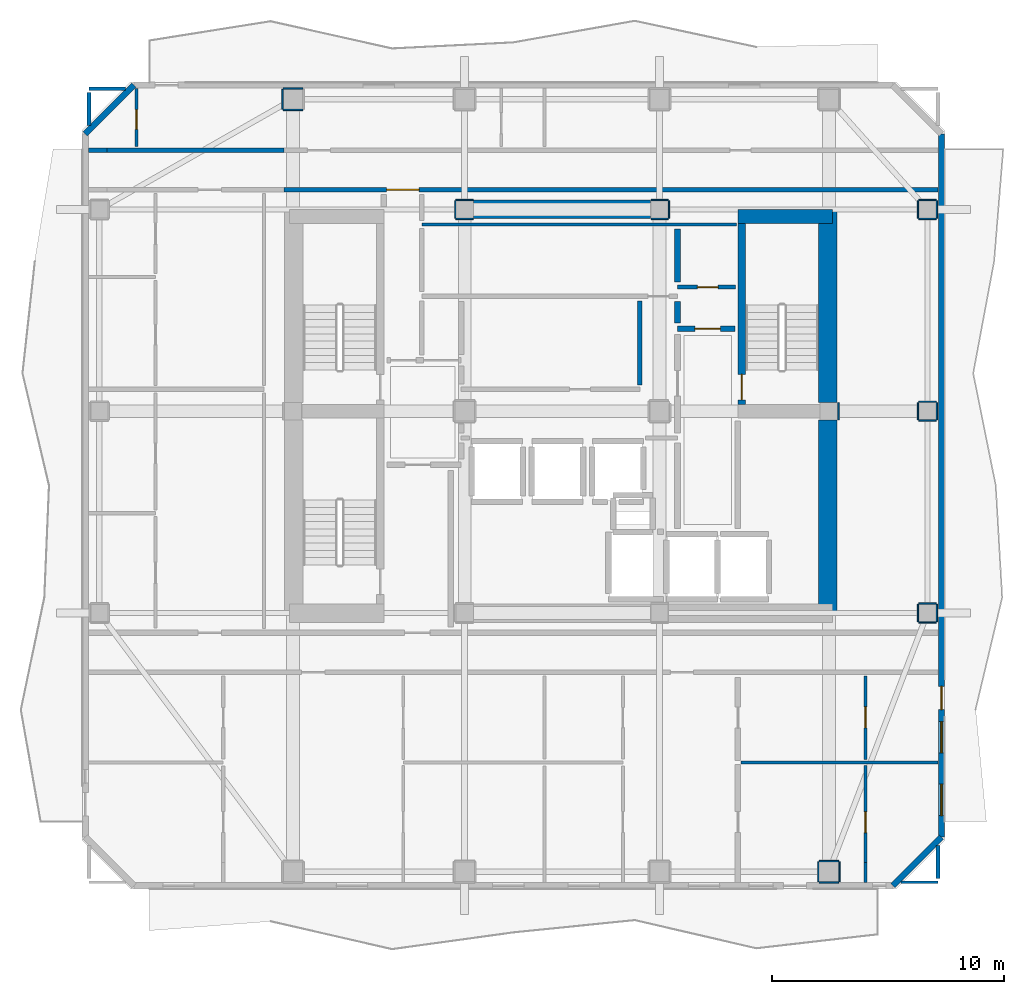
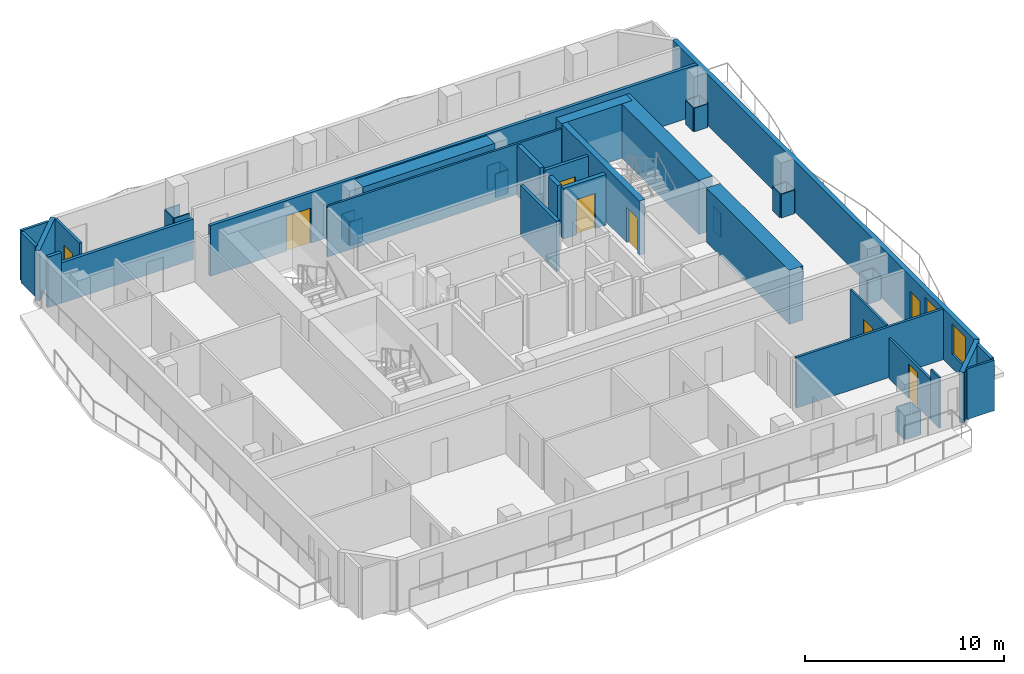
# One storey, part 5 of 10: 52 walls, 8 doors, 2 windows, 10 openings.
"""IFC4 building model written with IfcOpenShell, lengths in metres."""

from ifc_helpers import new_model, si_unit, direction, frame, frame_2d, origin, place, context, subcontext, project, spatial, rectangle, extrude, material, layer, layer_set, type_object, element, fill, save


model = new_model("IFC4")

# Units and contexts
model_context = context("Model", 3, precision=1e-05, world=origin(), true_north=direction((0.0, 1.0)))
body_context = subcontext(model_context, "Body", "Model", "MODEL_VIEW")
ifc_project = project(units=[si_unit("LENGTHUNIT", "METRE"), si_unit("AREAUNIT", "SQUARE_METRE"), si_unit("VOLUMEUNIT", "CUBIC_METRE"), si_unit("PLANEANGLEUNIT", "RADIAN"), si_unit("MASSUNIT", "GRAM", prefix="KILO")], contexts=[model_context])

# Site, building, storey
site_placement = place(None, origin())
site = spatial("IfcSite", under=ifc_project, at=site_placement, CompositionType="ELEMENT")
building_placement = place(site_placement, origin())
building = spatial("IfcBuilding", under=site, at=building_placement, Name="Solanera Arch Residences", CompositionType="ELEMENT")
storey_placement = place(building_placement, frame((0.0, 0.0, 193.47998046875)))
storey = spatial("IfcBuildingStorey", under=building, at=storey_placement, Name="L56", CompositionType="ELEMENT", Elevation=193.47998046875)

# Walls
ifc_material_1 = material(Name="Fire-Rated Gypsum Stud Partition", Category="gypsum")
ifc_layer_1 = layer(ifc_material_1, 0.06005859375)
ifc_layer_set_1 = layer_set([ifc_layer_1], Name="Fire-Rated Gypsum Stud Partition")
wall_type_1 = type_object("IfcWallType", Name="Column Acoustic Furring Wall 60", PredefinedType="PARTITIONING", material=ifc_layer_set_1)
for number, where, z_axis, x_axis, name in (
    (1, (20.425048828125, 38.992919921875, 0.0), (0.0, 0.0, 1.0), (1.0, 0.0, 0.0), "L56 Column Furring 3S"),
    (2, (20.425048828125, 39.806884765625, 0.0), (0.0, 0.0, 1.0), (1.0, 0.0, 0.0), "L56 Column Furring 3N"),
):
    element("IfcWall", number, at=place(storey_placement, frame(where, z_axis=z_axis, x_axis=x_axis)), inside=storey, type_object=wall_type_1, Name=name, PredefinedType="PARTITIONING", context=body_context, shape_type="SweptSolid", body=[
        extrude(rectangle(XDim=0.741943359375, YDim=0.06005859375, at=frame_2d((0.37109375, 0.0))), origin(), (0.0, 0.0, 1.0), 1.449951171875),
    ])
wall_1_placement = place(storey_placement, frame((20.39306640625, 39.02490234375, 0.0), z_axis=(0.0, 0.0, 1.0), x_axis=(0.0, 1.0, 0.0)))
element("IfcWall", 3, at=wall_1_placement, inside=storey, type_object=wall_type_1, Name="L56 Column Furring 3W", PredefinedType="PARTITIONING", context=body_context, shape_type="SweptSolid", body=[
    extrude(rectangle(XDim=0.75, YDim=0.06005859375, at=frame_2d((0.375, 0.0))), origin(), (0.0, 0.0, 1.0), 1.449951171875),
])
for number, where, z_axis, x_axis, name in (
    (4, (28.8330078125, 38.992919921875, 0.0), (0.0, 0.0, 1.0), (1.0, 0.0, 0.0), "L56 Column Furring 4S"),
    (5, (28.8330078125, 39.806884765625, 0.0), (0.0, 0.0, 1.0), (1.0, 0.0, 0.0), "L56 Column Furring 4N"),
):
    element("IfcWall", number, at=place(storey_placement, frame(where, z_axis=z_axis, x_axis=x_axis)), inside=storey, type_object=wall_type_1, Name=name, PredefinedType="PARTITIONING", context=body_context, shape_type="SweptSolid", body=[
        extrude(rectangle(XDim=0.741943359375, YDim=0.06005859375, at=frame_2d((0.37109375, 0.0))), origin(), (0.0, 0.0, 1.0), 1.449951171875),
    ])
for number, where, z_axis, x_axis, name in (
    (6, (29.60693359375, 39.02490234375, 0.0), (0.0, 0.0, 1.0), (0.0, 1.0, 0.0), "L56 Column Furring 4E"),
    (7, (36.906982421875, 30.324951171875, 0.0), (0.0, 0.0, 1.0), (0.0, 1.0, 0.0), "L56 Column Furring 6E"),
):
    element("IfcWall", number, at=place(storey_placement, frame(where, z_axis=z_axis, x_axis=x_axis)), inside=storey, type_object=wall_type_1, Name=name, PredefinedType="PARTITIONING", context=body_context, shape_type="SweptSolid", body=[
        extrude(rectangle(XDim=0.75, YDim=0.06005859375, at=frame_2d((0.375, 0.0))), origin(), (0.0, 0.0, 1.0), 1.449951171875),
    ])
for number, where, z_axis, x_axis, name in (
    (8, (12.97509765625, 43.693115234375, 0.0), (0.0, 0.0, 1.0), (1.0, 0.0, 0.0), "L56 Column Furring 10S"),
    (9, (12.97509765625, 44.60693359375, 0.0), (0.0, 0.0, 1.0), (1.0, 0.0, 0.0), "L56 Column Furring 10N"),
    (10, (12.943115234375, 43.72509765625, 0.0), (0.0, 0.0, 1.0), (0.0, 1.0, 0.0), "L56 Column Furring 10W"),
):
    element("IfcWall", number, at=place(storey_placement, frame(where, z_axis=z_axis, x_axis=x_axis)), inside=storey, type_object=wall_type_1, Name=name, PredefinedType="PARTITIONING", context=body_context, shape_type="SweptSolid", body=[
        extrude(rectangle(XDim=0.849853515625, YDim=0.06005859375, at=frame_2d((0.4248046875, 0.0))), origin(), (0.0, 0.0, 1.0), 1.449951171875),
    ])
for number, where, z_axis, x_axis, name in (
    (11, (36.074951171875, 10.39306640625, 0.0), (0.0, 0.0, 1.0), (1.0, 0.0, 0.0), "L56 Column Furring 15S"),
    (12, (36.074951171875, 11.306884765625, 0.0), (0.0, 0.0, 1.0), (1.0, 0.0, 0.0), "L56 Column Furring 15N"),
):
    element("IfcWall", number, at=place(storey_placement, frame(where, z_axis=z_axis, x_axis=x_axis)), inside=storey, type_object=wall_type_1, Name=name, PredefinedType="PARTITIONING", context=body_context, shape_type="SweptSolid", body=[
        extrude(rectangle(XDim=0.85009765625, YDim=0.06005859375, at=frame_2d((0.425048828125, 0.0))), origin(), (0.0, 0.0, 1.0), 1.449951171875),
    ])
for number, where, z_axis, x_axis, name in (
    (13, (36.04296875, 10.425048828125, 0.0), (0.0, 0.0, 1.0), (0.0, 1.0, 0.0), "L56 Column Furring 15W"),
    (14, (36.95703125, 10.425048828125, 0.0), (0.0, 0.0, 1.0), (0.0, 1.0, 0.0), "L56 Column Furring 15E"),
):
    element("IfcWall", number, at=place(storey_placement, frame(where, z_axis=z_axis, x_axis=x_axis)), inside=storey, type_object=wall_type_1, Name=name, PredefinedType="PARTITIONING", context=body_context, shape_type="SweptSolid", body=[
        extrude(rectangle(XDim=0.849853515625, YDim=0.06005859375, at=frame_2d((0.4248046875, 0.0))), origin(), (0.0, 0.0, 1.0), 1.449951171875),
    ])
for number, where, z_axis, x_axis, name in (
    (15, (40.375, 21.593017578125, 0.0), (0.0, 0.0, 1.0), (1.0, 0.0, 0.0), "L56 Column Furring 18S"),
    (16, (40.375, 22.406982421875, 0.0), (0.0, 0.0, 1.0), (1.0, 0.0, 0.0), "L56 Column Furring 18N"),
    (17, (40.343017578125, 21.625, 0.0), (0.0, 0.0, 1.0), (0.0, 1.0, 0.0), "L56 Column Furring 18W"),
    (18, (41.156982421875, 21.625, 0.0), (0.0, 0.0, 1.0), (0.0, 1.0, 0.0), "L56 Column Furring 18E"),
    (19, (40.375, 30.29296875, 0.0), (0.0, 0.0, 1.0), (1.0, 0.0, 0.0), "L56 Column Furring 20S"),
    (20, (40.375, 31.10693359375, 0.0), (0.0, 0.0, 1.0), (1.0, 0.0, 0.0), "L56 Column Furring 20N"),
    (21, (40.343017578125, 30.324951171875, 0.0), (0.0, 0.0, 1.0), (0.0, 1.0, 0.0), "L56 Column Furring 20W"),
    (22, (41.156982421875, 30.324951171875, 0.0), (0.0, 0.0, 1.0), (0.0, 1.0, 0.0), "L56 Column Furring 20E"),
    (23, (40.375, 38.992919921875, 0.0), (0.0, 0.0, 1.0), (1.0, 0.0, 0.0), "L56 Column Furring 22S"),
    (24, (40.375, 39.806884765625, 0.0), (0.0, 0.0, 1.0), (1.0, 0.0, 0.0), "L56 Column Furring 22N"),
    (25, (40.343017578125, 39.02490234375, 0.0), (0.0, 0.0, 1.0), (0.0, 1.0, 0.0), "L56 Column Furring 22W"),
    (26, (41.156982421875, 39.02490234375, 0.0), (0.0, 0.0, 1.0), (0.0, 1.0, 0.0), "L56 Column Furring 22E"),
):
    element("IfcWall", number, at=place(storey_placement, frame(where, z_axis=z_axis, x_axis=x_axis)), inside=storey, type_object=wall_type_1, Name=name, PredefinedType="PARTITIONING", context=body_context, shape_type="SweptSolid", body=[
        extrude(rectangle(XDim=0.75, YDim=0.06005859375, at=frame_2d((0.375, 0.0))), origin(), (0.0, 0.0, 1.0), 1.449951171875),
    ])

# Wall, opening, door
ifc_material_2 = material(Name="Concrete C40/50 (f'c = 45 MPa)", Category="concrete")
ifc_layer_2 = layer(ifc_material_2, 0.320068359375)
ifc_layer_set_2 = layer_set([ifc_layer_2], Name="Concrete C40/50 (f'c = 45 MPa)")
wall_type_2 = type_object("IfcWallType", Name="Core Shear Wall CW-320", PredefinedType="SHEAR", material=ifc_layer_set_2)
wall_2_placement = place(storey_placement, frame((32.739990234375, 31.0, 0.0), z_axis=(0.0, 0.0, 1.0), x_axis=(0.0, 1.0, 0.0)))
wall_2 = element("IfcWall", 27, at=wall_2_placement, inside=storey, type_object=wall_type_2, Name="L56 Stair ST-T2 West Shear Wall", PredefinedType="SHEAR", context=body_context, shape_type="SweptSolid", body=[
    extrude(rectangle(XDim=7.800048828125, YDim=0.320068359375, at=frame_2d((3.89990234375, 0.0))), origin(), (0.0, 0.0, 1.0), 3.320068359375),
])
opening_1_placement = place(wall_2_placement, frame((0.18994140625, 0.0, 0.0)))
opening_1 = element("IfcOpeningElement", 28, at=opening_1_placement, cuts=wall_2, Name="Opening DF-01", PredefinedType="OPENING", context=body_context, shape_type="SweptSolid", body=[
    extrude(rectangle(XDim=1.10009765625, YDim=2.14990234375, at=frame_2d((0.550048828125, 1.074951171875))), frame((0.0, 0.169921875, 0.0), z_axis=(0.0, -1.0, 0.0), x_axis=(1.0, 0.0, 0.0)), (0.0, 0.0, 1.0), 0.3401),
])
ifc_material_3 = material(Name="Fire-Rated Architectural Hardwood", Category="wood")
door_type_1 = type_object("IfcDoorType", Name="Stair Exit Fire Door DF-01", OperationType="NOTDEFINED", PredefinedType="DOOR", material=ifc_material_3)
door_1_placement = place(opening_1_placement, origin())
door_1 = element("IfcDoor", 29, at=door_1_placement, inside=storey, type_object=door_type_1, Name="DR-L56-STAIR-ST-T2", OperationType="SINGLE_SWING_RIGHT", OverallHeight=2.14990234375, OverallWidth=1.10009765625, PredefinedType="DOOR", context=body_context, shape_type="SweptSolid", body=[
    extrude(rectangle(XDim=1.10009765625, YDim=2.14990234375, at=frame_2d((0.550048828125, 1.074951171875))), frame((0.0, 0.02490234375, 0.0), z_axis=(0.0, -1.0, 0.0), x_axis=(1.0, 0.0, 0.0)), (0.0, 0.0, 1.0), 0.050048828125),
])
fill(opening_1, door_1)

# Walls
ifc_material_4 = material(Name="Concrete C40/50 (f'c = 45 MPa)", Category="concrete")
ifc_layer_3 = layer(ifc_material_4, 0.60009765625)
ifc_layer_set_3 = layer_set([ifc_layer_3], Name="Concrete C40/50 (f'c = 45 MPa)")
wall_type_3 = type_object("IfcWallType", Name="Core Shear Wall CW-600", PredefinedType="SHEAR", material=ifc_layer_set_3)
wall_3_placement = place(storey_placement, frame((32.580078125, 39.10009765625, 0.0), z_axis=(0.0, 0.0, 1.0), x_axis=(1.0, 0.0, 0.0)))
element("IfcWall", 30, at=wall_3_placement, inside=storey, type_object=wall_type_3, Name="L56 North-East Core Shear Wall", PredefinedType="SHEAR", context=body_context, shape_type="SweptSolid", body=[
    extrude(rectangle(XDim=4.079833984375, YDim=0.60009765625, at=frame_2d((2.0400390625, 0.0))), origin(), (0.0, 0.0, 1.0), 3.320068359375),
])
ifc_material_5 = material(Name="Concrete C40/50 (f'c = 45 MPa)", Category="concrete")
ifc_layer_4 = layer(ifc_material_5, 0.800048828125)
ifc_layer_set_4 = layer_set([ifc_layer_4], Name="Concrete C40/50 (f'c = 45 MPa)")
wall_type_4 = type_object("IfcWallType", Name="Core Shear Wall CW-800", PredefinedType="SHEAR", material=ifc_layer_set_4)
wall_4_placement = place(storey_placement, frame((36.4599609375, 22.0, 0.0), z_axis=(0.0, 0.0, 1.0), x_axis=(0.0, 1.0, 0.0)))
element("IfcWall", 31, at=wall_4_placement, inside=storey, type_object=wall_type_4, Name="L56 East Core South Shear Wall", PredefinedType="SHEAR", context=body_context, shape_type="SweptSolid", body=[
    extrude(rectangle(XDim=8.320068359375, YDim=0.800048828125, at=frame_2d((4.16015625, 0.0))), origin(), (0.0, 0.0, 1.0), 3.320068359375),
])
wall_5_placement = place(storey_placement, frame((36.4599609375, 31.080078125, 0.0), z_axis=(0.0, 0.0, 1.0), x_axis=(0.0, 1.0, 0.0)))
element("IfcWall", 32, at=wall_5_placement, inside=storey, type_object=wall_type_4, Name="L56 East Core North Shear Wall", PredefinedType="SHEAR", context=body_context, shape_type="SweptSolid", body=[
    extrude(rectangle(XDim=8.31982421875, YDim=0.800048828125, at=frame_2d((4.159912109375, 0.0))), origin(), (0.0, 0.0, 1.0), 3.320068359375),
])
wall_6_placement = place(storey_placement, frame((21.179931640625, 39.39990234375, 0.0), z_axis=(0.0, 0.0, 1.0), x_axis=(1.0, 0.0, 0.0)))
element("IfcWall", 33, at=wall_6_placement, inside=storey, type_object=wall_type_4, Name="L56 Central North Core Shear Wall", PredefinedType="SHEAR", context=body_context, shape_type="SweptSolid", body=[
    extrude(rectangle(XDim=7.64013671875, YDim=0.800048828125, at=frame_2d((3.820068359375, 0.0))), origin(), (0.0, 0.0, 1.0), 3.320068359375),
])

# Wall, opening, door
ifc_material_6 = material(Name="Autoclaved Aerated Concrete Blockwork", Category="masonry")
ifc_layer_5 = layer(ifc_material_6, 0.179931640625)
ifc_layer_set_5 = layer_set([ifc_layer_5], Name="Autoclaved Aerated Concrete Blockwork")
wall_type_5 = type_object("IfcWallType", Name="Corridor Fire Partition 180", PredefinedType="PARTITIONING", material=ifc_layer_set_5)
wall_7_placement = place(storey_placement, frame((29.97509765625, 36.050048828125, 0.0), z_axis=(0.0, 0.0, 1.0), x_axis=(1.0, 0.0, 0.0)))
wall_7 = element("IfcWall", 34, at=wall_7_placement, inside=storey, type_object=wall_type_5, Name="L56 Interior Partition H11", PredefinedType="PARTITIONING", context=body_context, shape_type="SweptSolid", body=[
    extrude(rectangle(XDim=2.5048828125, YDim=0.179931640625, at=frame_2d((1.25244140625, 0.0))), origin(), (0.0, 0.0, 1.0), 3.10009765625),
])
opening_2_placement = place(wall_7_placement, frame((0.85205078125, 0.0, 0.0)))
opening_2 = element("IfcOpeningElement", 35, at=opening_2_placement, cuts=wall_7, Name="Opening DI-02", PredefinedType="OPENING", context=body_context, shape_type="SweptSolid", body=[
    extrude(rectangle(XDim=0.89990234375, YDim=2.10009765625, at=frame_2d((0.449951171875, 1.050048828125))), frame((0.0, 0.10009765625, 0.0), z_axis=(0.0, -1.0, 0.0), x_axis=(1.0, 0.0, 0.0)), (0.0, 0.0, 1.0), 0.1999),
])
ifc_material_7 = material(Name="Fire-Rated Architectural Hardwood", Category="wood")
door_type_2 = type_object("IfcDoorType", Name="Suite Room Swing Door DI-02", OperationType="NOTDEFINED", PredefinedType="DOOR", material=ifc_material_7)
door_2_placement = place(opening_2_placement, origin())
door_2 = element("IfcDoor", 36, at=door_2_placement, inside=storey, type_object=door_type_2, Name="DR-L56-IN-011", OperationType="SINGLE_SWING_LEFT", OverallHeight=2.10009765625, OverallWidth=0.89990234375, PredefinedType="DOOR", context=body_context, shape_type="SweptSolid", body=[
    extrude(rectangle(XDim=0.89990234375, YDim=2.10009765625, at=frame_2d((0.449951171875, 1.050048828125))), frame((0.0, 0.02490234375, 0.0), z_axis=(0.0, -1.0, 0.0), x_axis=(1.0, 0.0, 0.0)), (0.0, 0.0, 1.0), 0.050048828125),
])
fill(opening_2, door_2)

wall_8_placement = place(storey_placement, frame((13.011962890625, 40.25, 0.0), z_axis=(0.0, 0.0, 1.0), x_axis=(1.0, 0.0, 0.0)))
wall_8 = element("IfcWall", 37, at=wall_8_placement, inside=storey, type_object=wall_type_5, Name="L56 Interior Partition H12 3", PredefinedType="PARTITIONING", context=body_context, shape_type="SweptSolid", body=[
    extrude(rectangle(XDim=28.200927734375, YDim=0.179931640625, at=frame_2d((14.1005859375, 0.0))), origin(), (0.0, 0.0, 1.0), 3.10009765625),
])
opening_3_placement = place(wall_8_placement, frame((4.423095703125, 0.0, 0.0)))
opening_3 = element("IfcOpeningElement", 38, at=opening_3_placement, cuts=wall_8, Name="Opening DF-03", PredefinedType="OPENING", context=body_context, shape_type="SweptSolid", body=[
    extrude(rectangle(XDim=1.39990234375, YDim=2.14990234375, at=frame_2d((0.699951171875, 1.074951171875))), frame((0.0, 0.10009765625, 0.0), z_axis=(0.0, -1.0, 0.0), x_axis=(1.0, 0.0, 0.0)), (0.0, 0.0, 1.0), 0.1999),
])
ifc_material_8 = material(Name="Fire-Rated Architectural Hardwood", Category="wood")
door_type_3 = type_object("IfcDoorType", Name="Corridor Smoke Door DF-03", OperationType="NOTDEFINED", PredefinedType="DOOR", material=ifc_material_8)
door_3_placement = place(opening_3_placement, origin())
door_3 = element("IfcDoor", 39, at=door_3_placement, inside=storey, type_object=door_type_3, Name="DR-L56-IN-009", OperationType="SINGLE_SWING_LEFT", OverallHeight=2.14990234375, OverallWidth=1.39990234375, PredefinedType="DOOR", context=body_context, shape_type="SweptSolid", body=[
    extrude(rectangle(XDim=1.39990234375, YDim=2.14990234375, at=frame_2d((0.699951171875, 1.074951171875))), frame((0.0, 0.02490234375, 0.0), z_axis=(0.0, -1.0, 0.0), x_axis=(1.0, 0.0, 0.0)), (0.0, 0.0, 1.0), 0.050048828125),
])
fill(opening_3, door_3)

# Walls
wall_9_placement = place(storey_placement, frame((4.5869140625, 41.949951171875, 0.0), z_axis=(0.0, 0.0, 1.0), x_axis=(1.0, 0.0, 0.0)))
element("IfcWall", 40, at=wall_9_placement, inside=storey, type_object=wall_type_5, Name="L56 Interior Partition H13 1", PredefinedType="PARTITIONING", context=body_context, shape_type="SweptSolid", body=[
    extrude(rectangle(XDim=0.801025390625, YDim=0.179931640625, at=frame_2d((0.400390625, 0.0))), origin(), (0.0, 0.0, 1.0), 3.10009765625),
])
wall_10_placement = place(storey_placement, frame((5.387939453125, 41.949951171875, 0.0), z_axis=(0.0, 0.0, 1.0), x_axis=(1.0, 0.0, 0.0)))
element("IfcWall", 41, at=wall_10_placement, inside=storey, type_object=wall_type_5, Name="L56 Interior Partition H13 2", PredefinedType="PARTITIONING", context=body_context, shape_type="SweptSolid", body=[
    extrude(rectangle(XDim=7.6240234375, YDim=0.179931640625, at=frame_2d((3.81201171875, 0.0))), origin(), (0.0, 0.0, 1.0), 2.47705078125),
])
wall_11_placement = place(storey_placement, frame((4.60009765625, 43.010986328125, 0.0), z_axis=(0.0, 0.0, 1.0), x_axis=(0.0, 1.0, 0.0)))
element("IfcWall", 42, at=wall_11_placement, inside=storey, type_object=wall_type_5, Name="L56 Interior Partition V8 2", PredefinedType="PARTITIONING", context=body_context, shape_type="SweptSolid", body=[
    extrude(rectangle(XDim=1.4208984375, YDim=0.179931640625, at=frame_2d((0.71044921875, 0.0))), origin(), (0.0, 0.0, 1.0), 3.10009765625),
])
wall_12_placement = place(storey_placement, frame((28.35009765625, 31.837890625, 0.0), z_axis=(0.0, 0.0, 1.0), x_axis=(0.0, 1.0, 0.0)))
element("IfcWall", 43, at=wall_12_placement, inside=storey, type_object=wall_type_5, Name="L56 Interior Partition V9", PredefinedType="PARTITIONING", context=body_context, shape_type="SweptSolid", body=[
    extrude(rectangle(XDim=3.614013671875, YDim=0.179931640625, at=frame_2d((1.80712890625, 0.0))), origin(), (0.0, 0.0, 1.0), 3.10009765625),
])
wall_13_placement = place(storey_placement, frame((41.199951171875, 10.55810546875, 0.0), z_axis=(0.0, 0.0, 1.0), x_axis=(0.0, 1.0, 0.0)))
element("IfcWall", 44, at=wall_13_placement, inside=storey, type_object=wall_type_5, Name="L56 Interior Partition V10", PredefinedType="PARTITIONING", context=body_context, shape_type="SweptSolid", body=[
    extrude(rectangle(XDim=1.430908203125, YDim=0.179931640625, at=frame_2d((0.71533203125, 0.0))), origin(), (0.0, 0.0, 1.0), 3.10009765625),
])
ifc_material_9 = material(Name="Precast Concrete C35/45", Category="concrete")
ifc_layer_6 = layer(ifc_material_9, 0.260009765625)
ifc_layer_set_6 = layer_set([ifc_layer_6], Name="Precast Concrete C35/45")
wall_type_6 = type_object("IfcWallType", Name="Exterior Wall Precast Masonry-Frame 260", PredefinedType="STANDARD", material=ifc_layer_set_6)
wall_14_placement = place(storey_placement, frame((4.445068359375, 42.655029296875, 0.0), z_axis=(0.0, 0.0, 1.0), x_axis=(0.707106781187, 0.707106781187, 0.0)))
element("IfcWall", 45, at=wall_14_placement, inside=storey, type_object=wall_type_6, Name="L56 Tower Exterior Precast Masonry-Frame Wall CH1", PredefinedType="STANDARD", context=body_context, shape_type="SweptSolid", body=[
    extrude(rectangle(XDim=2.9697265625, YDim=0.260009765625, at=frame_2d((1.48486328125, 0.0))), origin(), (0.0, 0.0, 1.0), 3.10009765625),
])

# Wall, openings, door, windows
wall_15_placement = place(storey_placement, frame((41.35498046875, 42.655029296875, 0.0), z_axis=(0.0, 0.0, 1.0), x_axis=(0.0, -1.0, 0.0)))
wall_15 = element("IfcWall", 46, at=wall_15_placement, inside=storey, type_object=wall_type_6, Name="L56 Tower Exterior Precast Masonry-Frame Wall E", PredefinedType="STANDARD", context=body_context, shape_type="SweptSolid", body=[
    extrude(rectangle(XDim=30.31005859375, YDim=0.260009765625, at=frame_2d((15.155029296875, 0.0))), origin(), (0.0, 0.0, 1.0), 3.10009765625),
])
opening_4_placement = place(wall_15_placement, frame((23.818115234375, 0.0, 0.0)))
opening_4 = element("IfcOpeningElement", 47, at=opening_4_placement, cuts=wall_15, Name="Opening DB-01", PredefinedType="OPENING", context=body_context, shape_type="SweptSolid", body=[
    extrude(rectangle(XDim=1.0, YDim=2.14990234375, at=frame_2d((0.5, 1.074951171875))), frame((0.0, 0.139892578125, 0.0), z_axis=(0.0, -1.0, 0.0), x_axis=(1.0, 0.0, 0.0)), (0.0, 0.0, 1.0), 0.28),
])
opening_5_placement = place(wall_15_placement, frame((25.33203125, 0.0, 0.85009765625)))
opening_5 = element("IfcOpeningElement", 48, at=opening_5_placement, cuts=wall_15, Name="Opening W-10", PredefinedType="OPENING", context=body_context, shape_type="SweptSolid", body=[
    extrude(rectangle(XDim=1.35009765625, YDim=1.85009765625, at=frame_2d((0.675048828125, 0.925048828125))), frame((0.0, 0.139892578125, 0.0), z_axis=(0.0, -1.0, 0.0), x_axis=(1.0, 0.0, 0.0)), (0.0, 0.0, 1.0), 0.28),
])
opening_6_placement = place(wall_15_placement, frame((28.032958984375, 0.0, 0.85009765625)))
opening_6 = element("IfcOpeningElement", 49, at=opening_6_placement, cuts=wall_15, Name="Opening W-10", PredefinedType="OPENING", context=body_context, shape_type="SweptSolid", body=[
    extrude(rectangle(XDim=1.35009765625, YDim=1.85009765625, at=frame_2d((0.675048828125, 0.925048828125))), frame((0.0, 0.139892578125, 0.0), z_axis=(0.0, -1.0, 0.0), x_axis=(1.0, 0.0, 0.0)), (0.0, 0.0, 1.0), 0.28),
])
ifc_material_10 = material(Name="Anodised Aluminium Alloy 6063-T6", Category="aluminium")
door_type_4 = type_object("IfcDoorType", Name="Glazed Balcony Swing Door DB-01", OperationType="NOTDEFINED", PredefinedType="DOOR", material=ifc_material_10)
door_4_placement = place(opening_4_placement, origin())
door_4 = element("IfcDoor", 50, at=door_4_placement, inside=storey, type_object=door_type_4, Name="DR-L56-OUT-03", OperationType="SINGLE_SWING_RIGHT", OverallHeight=2.14990234375, OverallWidth=1.0, PredefinedType="DOOR", context=body_context, shape_type="SweptSolid", body=[
    extrude(rectangle(XDim=1.0, YDim=2.14990234375, at=frame_2d((0.5, 1.074951171875))), frame((0.0, 0.02490234375, 0.0), z_axis=(0.0, -1.0, 0.0), x_axis=(1.0, 0.0, 0.0)), (0.0, 0.0, 1.0), 0.050048828125),
])
fill(opening_4, door_4)
ifc_material_11 = material(Name="Double Glazed Low-E Laminated Glass", Category="glass")
window_type = type_object("IfcWindowType", Name="Punched Window W-10", PartitioningType="DOUBLE_PANEL_VERTICAL", PredefinedType="WINDOW", material=ifc_material_11)
window_1_placement = place(opening_5_placement, origin())
window_1 = element("IfcWindow", 51, at=window_1_placement, inside=storey, type_object=window_type, Name="L56 5602-STD Punched Window", OverallHeight=1.85009765625, OverallWidth=1.35009765625, PartitioningType="SINGLE_PANEL", PredefinedType="WINDOW", context=body_context, shape_type="SweptSolid", body=[
    extrude(rectangle(XDim=1.35009765625, YDim=1.85009765625, at=frame_2d((0.675048828125, 0.925048828125))), frame((0.0, 0.030029296875, 0.0), z_axis=(0.0, -1.0, 0.0), x_axis=(1.0, 0.0, 0.0)), (0.0, 0.0, 1.0), 0.06005859375),
])
fill(opening_5, window_1)
window_2_placement = place(opening_6_placement, origin())
window_2 = element("IfcWindow", 52, at=window_2_placement, inside=storey, type_object=window_type, Name="L56 5602-BR3 Punched Window", OverallHeight=1.85009765625, OverallWidth=1.35009765625, PartitioningType="SINGLE_PANEL", PredefinedType="WINDOW", context=body_context, shape_type="SweptSolid", body=[
    extrude(rectangle(XDim=1.35009765625, YDim=1.85009765625, at=frame_2d((0.675048828125, 0.925048828125))), frame((0.0, 0.030029296875, 0.0), z_axis=(0.0, -1.0, 0.0), x_axis=(1.0, 0.0, 0.0)), (0.0, 0.0, 1.0), 0.06005859375),
])
fill(opening_6, window_2)

# Wall
wall_16_placement = place(storey_placement, frame((41.35498046875, 12.344970703125, 0.0), z_axis=(0.0, 0.0, 1.0), x_axis=(-0.707147883682, -0.707065676302, 0.0)))
element("IfcWall", 53, at=wall_16_placement, inside=storey, type_object=wall_type_6, Name="L56 Tower Exterior Precast Masonry-Frame Wall CH5", PredefinedType="STANDARD", context=body_context, shape_type="SweptSolid", body=[
    extrude(rectangle(XDim=2.9697265625, YDim=0.260009765625, at=frame_2d((1.48486328125, 0.0))), origin(), (0.0, 0.0, 1.0), 3.10009765625),
])

# Wall, opening, door
ifc_material_12 = material(Name="Autoclaved Aerated Concrete Blockwork", Category="masonry")
ifc_layer_7 = layer(ifc_material_12, 0.239990234375)
ifc_layer_set_7 = layer_set([ifc_layer_7], Name="Autoclaved Aerated Concrete Blockwork")
wall_type_7 = type_object("IfcWallType", Name="Shaft Wall Fire-Rated 240", PredefinedType="PARTITIONING", material=ifc_layer_set_7)
wall_17_placement = place(storey_placement, frame((29.97509765625, 34.25, 0.0), z_axis=(0.0, 0.0, 1.0), x_axis=(1.0, 0.0, 0.0)))
wall_17 = element("IfcWall", 54, at=wall_17_placement, inside=storey, type_object=wall_type_7, Name="L56 Interior Partition H5", PredefinedType="PARTITIONING", context=body_context, shape_type="SweptSolid", body=[
    extrude(rectangle(XDim=2.474853515625, YDim=0.239990234375, at=frame_2d((1.2373046875, 0.0))), origin(), (0.0, 0.0, 1.0), 3.10009765625),
])
opening_7_placement = place(wall_17_placement, frame((0.751953125, 0.0, 0.0)))
opening_7 = element("IfcOpeningElement", 55, at=opening_7_placement, cuts=wall_17, Name="Opening DF-02", PredefinedType="OPENING", context=body_context, shape_type="SweptSolid", body=[
    extrude(rectangle(XDim=1.10009765625, YDim=2.14990234375, at=frame_2d((0.550048828125, 1.074951171875))), frame((0.0, 0.1298828125, 0.0), z_axis=(0.0, -1.0, 0.0), x_axis=(1.0, 0.0, 0.0)), (0.0, 0.0, 1.0), 0.26),
])
ifc_material_13 = material(Name="Fire-Rated Architectural Hardwood", Category="wood")
door_type_5 = type_object("IfcDoorType", Name="Firefighting Lobby Fire Door DF-02", OperationType="NOTDEFINED", PredefinedType="DOOR", material=ifc_material_13)
door_5_placement = place(opening_7_placement, origin())
door_5 = element("IfcDoor", 56, at=door_5_placement, inside=storey, type_object=door_type_5, Name="DR-L56-IN-007", OperationType="SINGLE_SWING_LEFT", OverallHeight=2.14990234375, OverallWidth=1.10009765625, PredefinedType="DOOR", context=body_context, shape_type="SweptSolid", body=[
    extrude(rectangle(XDim=1.10009765625, YDim=2.14990234375, at=frame_2d((0.550048828125, 1.074951171875))), frame((0.0, 0.02490234375, 0.0), z_axis=(0.0, -1.0, 0.0), x_axis=(1.0, 0.0, 0.0)), (0.0, 0.0, 1.0), 0.050048828125),
])
fill(opening_7, door_5)

# Walls
wall_18_placement = place(storey_placement, frame((29.97509765625, 34.498046875, 0.0), z_axis=(0.0, 0.0, 1.0), x_axis=(0.0, 1.0, 0.0)))
element("IfcWall", 57, at=wall_18_placement, inside=storey, type_object=wall_type_7, Name="L56 Interior Partition V4 3", PredefinedType="PARTITIONING", context=body_context, shape_type="SweptSolid", body=[
    extrude(rectangle(XDim=0.924072265625, YDim=0.239990234375, at=frame_2d((0.4619140625, 0.0))), origin(), (0.0, 0.0, 1.0), 3.10009765625),
])
wall_19_placement = place(storey_placement, frame((29.97509765625, 36.26806640625, 0.0), z_axis=(0.0, 0.0, 1.0), x_axis=(0.0, 1.0, 0.0)))
element("IfcWall", 58, at=wall_19_placement, inside=storey, type_object=wall_type_7, Name="L56 Interior Partition V4 4", PredefinedType="PARTITIONING", context=body_context, shape_type="SweptSolid", body=[
    extrude(rectangle(XDim=2.2939453125, YDim=0.239990234375, at=frame_2d((1.14697265625, 0.0))), origin(), (0.0, 0.0, 1.0), 3.10009765625),
])
ifc_material_14 = material(Name="Fire-Rated Gypsum Stud Partition", Category="gypsum")
ifc_layer_8 = layer(ifc_material_14, 0.1201171875)
ifc_layer_set_8 = layer_set([ifc_layer_8], Name="Fire-Rated Gypsum Stud Partition")
wall_type_8 = type_object("IfcWallType", Name="Unit Drywall Partition 120", PredefinedType="PARTITIONING", material=ifc_layer_set_8)
wall_20_placement = place(storey_placement, frame((39.611083984375, 10.39990234375, 0.0), z_axis=(0.0, 0.0, 1.0), x_axis=(1.0, 0.0, 0.0)))
element("IfcWall", 59, at=wall_20_placement, inside=storey, type_object=wall_type_8, Name="L56 Interior Partition H20 2", PredefinedType="PARTITIONING", context=body_context, shape_type="SweptSolid", body=[
    extrude(rectangle(XDim=1.5888671875, YDim=0.1201171875, at=frame_2d((0.79443359375, 0.0))), origin(), (0.0, 0.0, 1.0), 3.10009765625),
])
wall_21_placement = place(storey_placement, frame((18.949951171875, 38.75, 0.0), z_axis=(0.0, 0.0, 1.0), x_axis=(1.0, 0.0, 0.0)))
element("IfcWall", 60, at=wall_21_placement, inside=storey, type_object=wall_type_8, Name="L56 Interior Partition H21", PredefinedType="PARTITIONING", context=body_context, shape_type="SweptSolid", body=[
    extrude(rectangle(XDim=13.56005859375, YDim=0.1201171875, at=frame_2d((6.780029296875, 0.0))), origin(), (0.0, 0.0, 1.0), 3.10009765625),
])
wall_22_placement = place(storey_placement, frame((38.080078125, 10.386962890625, 0.0), z_axis=(0.0, 0.0, 1.0), x_axis=(0.0, 1.0, 0.0)))
element("IfcWall", 61, at=wall_22_placement, inside=storey, type_object=wall_type_8, Name="L56 Interior Partition V21 1", PredefinedType="PARTITIONING", context=body_context, shape_type="SweptSolid", body=[
    extrude(rectangle(XDim=0.85205078125, YDim=0.1201171875, at=frame_2d((0.426025390625, 0.0))), origin(), (0.0, 0.0, 1.0), 3.10009765625),
])

# Wall, opening, door
wall_23_placement = place(storey_placement, frame((38.080078125, 11.239013671875, 0.0), z_axis=(0.0, 0.0, 1.0), x_axis=(0.0, 1.0, 0.0)))
wall_23 = element("IfcWall", 62, at=wall_23_placement, inside=storey, type_object=wall_type_8, Name="L56 Interior Partition V21 2", PredefinedType="PARTITIONING", context=body_context, shape_type="SweptSolid", body=[
    extrude(rectangle(XDim=4.181884765625, YDim=0.1201171875, at=frame_2d((2.0908203125, 0.0))), origin(), (0.0, 0.0, 1.0), 2.47705078125),
])
opening_8_placement = place(wall_23_placement, frame((1.291015625, 0.0, 0.0)))
opening_8 = element("IfcOpeningElement", 63, at=opening_8_placement, cuts=wall_23, Name="Opening DI-03", PredefinedType="OPENING", context=body_context, shape_type="SweptSolid", body=[
    extrude(rectangle(XDim=0.89990234375, YDim=2.10009765625, at=frame_2d((0.449951171875, 1.050048828125))), frame((0.0, 0.070068359375, 0.0), z_axis=(0.0, -1.0, 0.0), x_axis=(1.0, 0.0, 0.0)), (0.0, 0.0, 1.0), 0.1401),
])
ifc_material_15 = material(Name="Fire-Rated Architectural Hardwood", Category="wood")
door_type_6 = type_object("IfcDoorType", Name="Bedroom Swing Door DI-03", OperationType="NOTDEFINED", PredefinedType="DOOR", material=ifc_material_15)
door_6_placement = place(opening_8_placement, origin())
door_6 = element("IfcDoor", 64, at=door_6_placement, inside=storey, type_object=door_type_6, Name="DR-L56-IN-025", OperationType="SINGLE_SWING_LEFT", OverallHeight=2.10009765625, OverallWidth=0.89990234375, PredefinedType="DOOR", context=body_context, shape_type="SweptSolid", body=[
    extrude(rectangle(XDim=0.89990234375, YDim=2.10009765625, at=frame_2d((0.449951171875, 1.050048828125))), frame((0.0, 0.02490234375, 0.0), z_axis=(0.0, -1.0, 0.0), x_axis=(1.0, 0.0, 0.0)), (0.0, 0.0, 1.0), 0.050048828125),
])
fill(opening_8, door_6)

wall_24_placement = place(storey_placement, frame((38.080078125, 15.697021484375, 0.0), z_axis=(0.0, 0.0, 1.0), x_axis=(0.0, 1.0, 0.0)))
wall_24 = element("IfcWall", 65, at=wall_24_placement, inside=storey, type_object=wall_type_8, Name="L56 Interior Partition V21 3", PredefinedType="PARTITIONING", context=body_context, shape_type="SweptSolid", body=[
    extrude(rectangle(XDim=3.594970703125, YDim=0.1201171875, at=frame_2d((1.79736328125, 0.0))), origin(), (0.0, 0.0, 1.0), 3.10009765625),
])
opening_9_placement = place(wall_24_placement, frame((1.35791015625, 0.0, 0.0)))
opening_9 = element("IfcOpeningElement", 66, at=opening_9_placement, cuts=wall_24, Name="Opening DI-02", PredefinedType="OPENING", context=body_context, shape_type="SweptSolid", body=[
    extrude(rectangle(XDim=0.89990234375, YDim=2.10009765625, at=frame_2d((0.449951171875, 1.050048828125))), frame((0.0, 0.070068359375, 0.0), z_axis=(0.0, -1.0, 0.0), x_axis=(1.0, 0.0, 0.0)), (0.0, 0.0, 1.0), 0.1401),
])
door_7_placement = place(opening_9_placement, origin())
door_7 = element("IfcDoor", 67, at=door_7_placement, inside=storey, type_object=door_type_2, Name="DR-L56-IN-023", OperationType="SINGLE_SWING_LEFT", OverallHeight=2.10009765625, OverallWidth=0.89990234375, PredefinedType="DOOR", context=body_context, shape_type="SweptSolid", body=[
    extrude(rectangle(XDim=0.89990234375, YDim=2.10009765625, at=frame_2d((0.449951171875, 1.050048828125))), frame((0.0, 0.02490234375, 0.0), z_axis=(0.0, -1.0, 0.0), x_axis=(1.0, 0.0, 0.0)), (0.0, 0.0, 1.0), 0.050048828125),
])
fill(opening_9, door_7)

# Walls
ifc_material_16 = material(Name="Autoclaved Aerated Concrete Blockwork", Category="masonry")
ifc_layer_9 = layer(ifc_material_16, 0.139892578125)
ifc_layer_set_9 = layer_set([ifc_layer_9], Name="Autoclaved Aerated Concrete Blockwork")
wall_type_9 = type_object("IfcWallType", Name="Wet-Room Partition 140", PredefinedType="PARTITIONING", material=ifc_layer_set_9)
wall_25_placement = place(storey_placement, frame((32.70703125, 15.55908203125, 0.0), z_axis=(0.0, 0.0, 1.0), x_axis=(1.0, 0.0, 0.0)))
element("IfcWall", 68, at=wall_25_placement, inside=storey, type_object=wall_type_9, Name="L56 Interior Partition H16", PredefinedType="PARTITIONING", context=body_context, shape_type="SweptSolid", body=[
    extrude(rectangle(XDim=8.505859375, YDim=0.139892578125, at=frame_2d((4.2529296875, 0.0))), origin(), (0.0, 0.0, 1.0), 3.10009765625),
])
wall_26_placement = place(storey_placement, frame((4.60009765625, 44.60009765625, 0.0), z_axis=(0.0, 0.0, 1.0), x_axis=(1.0, 0.0, 0.0)))
element("IfcWall", 69, at=wall_26_placement, inside=storey, type_object=wall_type_9, Name="L56 Interior Partition H19 1", PredefinedType="PARTITIONING", context=body_context, shape_type="SweptSolid", body=[
    extrude(rectangle(XDim=1.5888671875, YDim=0.139892578125, at=frame_2d((0.79443359375, 0.0))), origin(), (0.0, 0.0, 1.0), 3.10009765625),
])

# Wall, opening, door
wall_27_placement = place(storey_placement, frame((6.64990234375, 42.117919921875, 0.0), z_axis=(0.0, 0.0, 1.0), x_axis=(0.0, 1.0, 0.0)))
wall_27 = element("IfcWall", 70, at=wall_27_placement, inside=storey, type_object=wall_type_9, Name="L56 Interior Partition V12", PredefinedType="PARTITIONING", context=body_context, shape_type="SweptSolid", body=[
    extrude(rectangle(XDim=2.4951171875, YDim=0.139892578125, at=frame_2d((1.24755859375, 0.0))), origin(), (0.0, 0.0, 1.0), 3.10009765625),
])
opening_10_placement = place(wall_27_placement, frame((0.72705078125, 0.0, 0.0)))
opening_10 = element("IfcOpeningElement", 71, at=opening_10_placement, cuts=wall_27, Name="Opening DI-05", PredefinedType="OPENING", context=body_context, shape_type="SweptSolid", body=[
    extrude(rectangle(XDim=0.860107421875, YDim=2.02001953125, at=frame_2d((0.43017578125, 1.010009765625))), frame((0.0, 0.079833984375, 0.0), z_axis=(0.0, -1.0, 0.0), x_axis=(1.0, 0.0, 0.0)), (0.0, 0.0, 1.0), 0.1599),
])
ifc_material_17 = material(Name="Fire-Rated Architectural Hardwood", Category="wood")
door_type_7 = type_object("IfcDoorType", Name="Bathroom Swing Door DI-05", OperationType="NOTDEFINED", PredefinedType="DOOR", material=ifc_material_17)
door_8_placement = place(opening_10_placement, origin())
door_8 = element("IfcDoor", 72, at=door_8_placement, inside=storey, type_object=door_type_7, Name="DR-L56-IN-027", OperationType="SINGLE_SWING_LEFT", OverallHeight=2.02001953125, OverallWidth=0.860107421875, PredefinedType="DOOR", context=body_context, shape_type="SweptSolid", body=[
    extrude(rectangle(XDim=0.860107421875, YDim=2.02001953125, at=frame_2d((0.43017578125, 1.010009765625))), frame((0.0, 0.02490234375, 0.0), z_axis=(0.0, -1.0, 0.0), x_axis=(1.0, 0.0, 0.0)), (0.0, 0.0, 1.0), 0.050048828125),
])
fill(opening_10, door_8)

save(model, "model.ifc")
